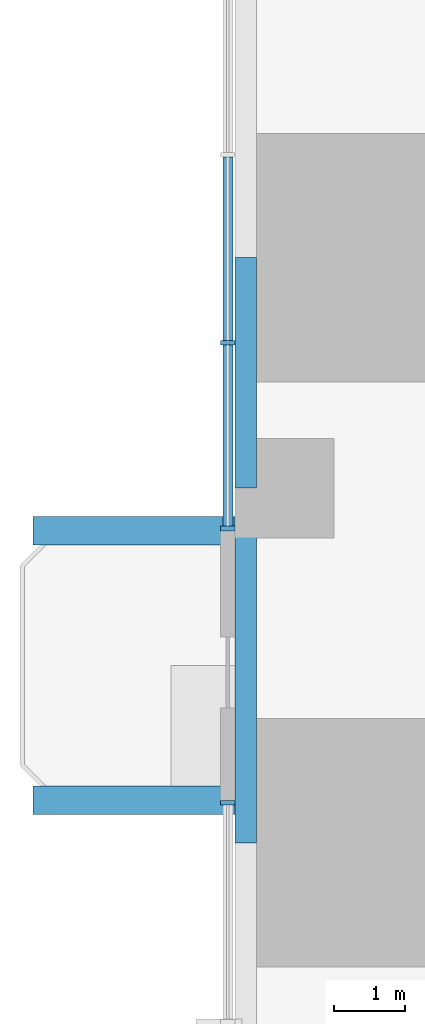
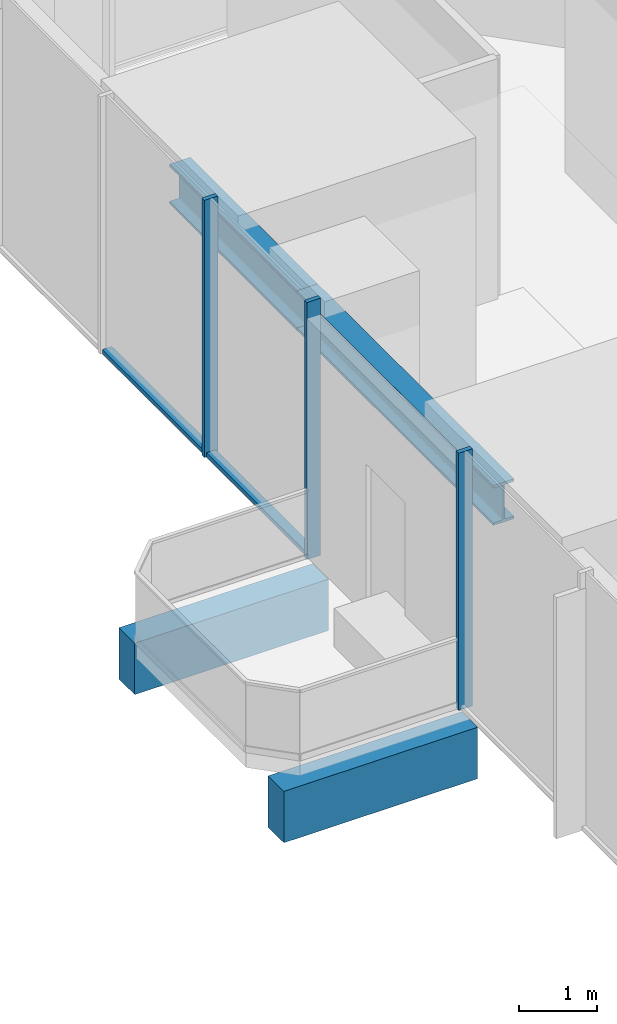
# One storey, part 3 of 15: 5 members, 4 beams, 2 elements without a shape of their own.
"""IFC4 building model written with IfcOpenShell, lengths in metres."""

import ifcopenshell
import ifcopenshell.guid

model = None  # the IFC model being written
_history = None  # IfcOwnerHistory: only IFC2X3 demands one
_inside = {}  # id of a spatial element -> (the spatial element, [elements in it])
_under = {}  # id of a project, library or spatial element -> (it, [spatial elements below it])
_declared = {}  # id of a project -> (the project, [libraries it declares])
_typed = {}  # id of a type object -> (the type object, [elements of that type])
_made_of = {}  # id of a material, layer set ... -> (it, [elements and type objects made of it])


def new_model(schema):
    """Start an empty IFC model of exactly this schema.

    Asked for "IFC4X3", IfcOpenShell would pick the latest addendum, in which some entities
    have other attributes; the version numbers below select the first issue.
    IFC2X3 requires an IfcOwnerHistory on every rooted entity: one is made here for all.
    """
    global model, _history
    if schema == "IFC4X3":
        model = ifcopenshell.file(schema_version=(4, 3, 0, 0))
    else:
        model = ifcopenshell.file(schema=schema)
    _inside.clear()
    _under.clear()
    _declared.clear()
    _typed.clear()
    _made_of.clear()
    _history = None
    if model.schema == "IFC2X3":
        org = make("IfcOrganization", Name="unknown")
        user = make(
            "IfcPersonAndOrganization",
            ThePerson=make("IfcPerson", FamilyName="unknown"),
            TheOrganization=org,
        )
        app = make(
            "IfcApplication",
            ApplicationDeveloper=org,
            Version="unknown",
            ApplicationFullName="unknown",
            ApplicationIdentifier="unknown",
        )
        _history = make(
            "IfcOwnerHistory",
            OwningUser=user,
            OwningApplication=app,
            ChangeAction="ADDED",
            CreationDate=0,
        )
    return model


def make(cls, **values):
    """One entity of the class cls with the attributes given. An attribute that is None is left unset."""
    return model.create_entity(
        cls, **{name: value for name, value in values.items() if value is not None}
    )


def rooted(cls, **values):
    """An entity with a GlobalId (a new one), such as an element, a storey or a relation."""
    return make(cls, GlobalId=ifcopenshell.guid.new(), OwnerHistory=_history, **values)


def si_unit(unit_type, name, prefix=None):
    """IfcSIUnit, for example si_unit("LENGTHUNIT", "METRE", prefix="MILLI")."""
    return make("IfcSIUnit", UnitType=unit_type, Prefix=prefix, Name=name)


def assignment(units):
    """IfcUnitAssignment: the units of a project."""
    return None if units is None else make("IfcUnitAssignment", Units=units)


def point(xyz):
    """IfcCartesianPoint."""
    return None if xyz is None else make("IfcCartesianPoint", Coordinates=xyz)


def direction(xyz):
    """IfcDirection."""
    return None if xyz is None else make("IfcDirection", DirectionRatios=xyz)


def frame(location, z_axis=None, x_axis=None):
    """IfcAxis2Placement3D, a coordinate frame: its origin and axes. An axis left out is left unset."""
    return make(
        "IfcAxis2Placement3D",
        Location=point(location),
        Axis=direction(z_axis),
        RefDirection=direction(x_axis),
    )


def frame_2d(location, x_axis=None):
    """IfcAxis2Placement2D, a coordinate frame in the plane: its origin and x axis."""
    return make(
        "IfcAxis2Placement2D", Location=point(location), RefDirection=direction(x_axis)
    )


def origin():
    """The frame at (0, 0, 0) with its axes left unset."""
    return frame((0.0, 0.0, 0.0))


def origin_2d():
    """The frame at (0, 0) in the plane with its x axis left unset."""
    return frame_2d((0.0, 0.0))


def place(relative_to, where):
    """IfcLocalPlacement: puts the frame where relative to a parent placement (None: the world)."""
    return make(
        "IfcLocalPlacement", PlacementRelTo=relative_to, RelativePlacement=where
    )


def context(
    kind, dimensions, precision=None, world=None, true_north=None, identifier=None
):
    """IfcGeometricRepresentationContext, for example the 3D "Model" context."""
    return make(
        "IfcGeometricRepresentationContext",
        ContextIdentifier=identifier,
        ContextType=kind,
        CoordinateSpaceDimension=dimensions,
        Precision=precision,
        WorldCoordinateSystem=world,
        TrueNorth=true_north,
    )


def subcontext(parent, identifier, kind, view, scale=None):
    """IfcGeometricRepresentationSubContext, for example "Body" below "Model"."""
    return make(
        "IfcGeometricRepresentationSubContext",
        ContextIdentifier=identifier,
        ContextType=kind,
        ParentContext=parent,
        TargetScale=scale,
        TargetView=view,
    )


def project(units=None, contexts=None):
    """IfcProject with its units and contexts."""
    return rooted(
        "IfcProject",
        Name="project",
        RepresentationContexts=contexts,
        UnitsInContext=assignment(units),
    )


def spatial(cls, under=None, at=None, **own):
    """A site, building, storey or space (cls), placed at a placement, below another one or the project."""
    s = rooted(cls, ObjectPlacement=at, **own)
    if under is not None:
        _under.setdefault(under.id(), (under, []))[1].append(s)
    return s


def profile(cls, at=None, kind="AREA", **sizes):
    """A parametric profile (cls). Its sizes go by their IFC names, for example OverallWidth=200.0."""
    return make(cls, ProfileType=kind, Position=at, **sizes)


def rectangle(**sizes):
    """IfcRectangleProfileDef."""
    return profile("IfcRectangleProfileDef", **sizes)


def i_section(**sizes):
    """IfcIShapeProfileDef."""
    return profile("IfcIShapeProfileDef", **sizes)


def extrude(swept, where, along, depth):
    """IfcExtrudedAreaSolid: the profile swept, set in the frame where, extruded along a direction by depth."""
    return make(
        "IfcExtrudedAreaSolid",
        SweptArea=swept,
        Position=where,
        ExtrudedDirection=direction(along),
        Depth=depth,
    )


def shape(context_of_items, identifier, shape_type, items):
    """IfcShapeRepresentation: the items that make up one representation, for example the "Body"."""
    return make(
        "IfcShapeRepresentation",
        ContextOfItems=context_of_items,
        RepresentationIdentifier=identifier,
        RepresentationType=shape_type,
        Items=items,
    )


def material(Name=None, Category=None):
    """IfcMaterial."""
    return make("IfcMaterial", Name=Name, Category=Category)


def material_profile(
    of_material, cross_section, Name=None, Category=None, Priority=None
):
    """IfcMaterialProfile: a cross section and its material."""
    return make(
        "IfcMaterialProfile",
        Name=Name,
        Material=of_material,
        Profile=cross_section,
        Priority=Priority,
        Category=Category,
    )


def profile_set(profiles, Name=None, composite=None):
    """IfcMaterialProfileSet."""
    return make(
        "IfcMaterialProfileSet",
        Name=Name,
        MaterialProfiles=profiles,
        CompositeProfile=composite,
    )


def made_of(thing, what):
    """Note that an element or type object is made of a material, layer set ...; save() writes the relation."""
    if what is not None:
        _made_of.setdefault(what.id(), (what, []))[1].append(thing)
    return thing


def type_object(cls, material=None, **own):
    """A type object (cls), such as IfcWallType, which elements share."""
    return made_of(rooted(cls, **own), material)


def element(
    cls,
    number,
    at=None,
    inside=None,
    cuts=None,
    type_object=None,
    material=None,
    context=None,
    identifier="Body",
    shape_type=None,
    held_by="IfcProductDefinitionShape",
    body=None,
    shapes=None,
    **own,
):
    """One element of the class cls, such as IfcWall. Its Tag is "e" and its number.

    at: its placement. inside: the storey or other place that contains it. cuts: it is an
    opening in that element (IfcRelVoidsElement). A single representation is given by context,
    identifier, shape_type and body (its items); several are given by shapes. held_by: the class
    of the entity that holds the representations. save() writes the other relations.
    """
    e = rooted(cls, Tag="e%d" % number, ObjectPlacement=at, **own)
    if body is not None:
        shapes = [shape(context, identifier, shape_type, body)]
    if shapes is not None:
        e.Representation = make(held_by, Representations=shapes)
    if inside is not None:
        _inside.setdefault(inside.id(), (inside, []))[1].append(e)
    if cuts is not None:
        rooted(
            "IfcRelVoidsElement", RelatingBuildingElement=cuts, RelatedOpeningElement=e
        )
    if type_object is not None:
        _typed.setdefault(type_object.id(), (type_object, []))[1].append(e)
    return made_of(e, material)


def aggregate(whole, parts):
    """IfcRelAggregates: a whole, such as a stair, and the parts it consists of."""
    return rooted("IfcRelAggregates", RelatingObject=whole, RelatedObjects=parts)


def save(model, path):
    """Write the relations noted so far, then the file.

    IfcRelAggregates (storeys below a building ...), IfcRelContainedInSpatialStructure (elements
    in a storey), IfcRelDefinesByType, IfcRelAssociatesMaterial and IfcRelDeclares: one each for
    every whole, place, type object, material and project.
    """
    for whole, parts in _under.values():
        aggregate(whole, parts)
    for where, things in _inside.values():
        rooted(
            "IfcRelContainedInSpatialStructure",
            RelatedElements=things,
            RelatingStructure=where,
        )
    for kind, things in _typed.values():
        rooted("IfcRelDefinesByType", RelatedObjects=things, RelatingType=kind)
    for what, things in _made_of.values():
        rooted("IfcRelAssociatesMaterial", RelatedObjects=things, RelatingMaterial=what)
    for by, libraries in _declared.values():
        rooted("IfcRelDeclares", RelatingContext=by, RelatedDefinitions=libraries)
    model.write(path)


model = new_model("IFC4")

# Units and contexts
model_context = context("Model", 3, precision=1e-05, world=origin(), true_north=direction((0.0, 1.0)))
body_context = subcontext(model_context, "Body", "Model", "MODEL_VIEW")
ifc_project = project(units=[si_unit("LENGTHUNIT", "METRE"), si_unit("AREAUNIT", "SQUARE_METRE"), si_unit("VOLUMEUNIT", "CUBIC_METRE"), si_unit("PLANEANGLEUNIT", "RADIAN"), si_unit("MASSUNIT", "GRAM", prefix="KILO")], contexts=[model_context])

# Site, building, storey
site_placement = place(None, origin())
site = spatial("IfcSite", under=ifc_project, at=site_placement, CompositionType="ELEMENT")
building_placement = place(site_placement, origin())
building = spatial("IfcBuilding", under=site, at=building_placement, Name="Svetlomir Tower", CompositionType="ELEMENT")
storey_placement = place(building_placement, frame((0.0, 0.0, 74.5)))
storey = spatial("IfcBuildingStorey", under=building, at=storey_placement, Name="L17", CompositionType="ELEMENT", Elevation=74.5)

# Beams
ifc_material_1 = material(Name="Concrete C60/75", Category="concrete")
ifc_material_profile_1 = material_profile(ifc_material_1, rectangle(XDim=0.39990234375, YDim=0.800048828125, at=origin_2d()), Name="RC 400x800")
ifc_profile_set_1 = profile_set([ifc_material_profile_1], Name="Concrete C60/75")
beam_type_1 = type_object("IfcBeamType", Name="BALCONY RIB RC 400x800", PredefinedType="BEAM", material=ifc_profile_set_1)
for number, where, z_axis, x_axis, name in (
    (1, (0.0, 21.60009765625, -0.64990234375), (-1.0, 0.0, 0.0), (0.0, -1.0, 0.0), "Balcony rib W 1 L17"),
    (2, (0.0, 25.39990234375, -0.64990234375), (-1.0, 0.0, 0.0), (0.0, -1.0, 0.0), "Balcony rib W 2 L17"),
):
    element("IfcBeam", number, at=place(storey_placement, frame(where, z_axis=z_axis, x_axis=x_axis)), inside=storey, type_object=beam_type_1, Name=name, PredefinedType="BEAM", context=body_context, shape_type="SweptSolid", body=[
        extrude(rectangle(XDim=0.39990234375, YDim=0.800048828125, at=origin_2d()), origin(), (0.0, 0.0, 1.0), 2.85009765625),
    ])

# Curtain wall, members
ifc_material_2 = material(Name="Bronze anodised aluminium curtain wall", Category="aluminium")
curtain_wall_type = type_object("IfcCurtainWallType", Name="CURTAIN WALL CW1 TOWER OFFICE", PredefinedType="NOTDEFINED", material=ifc_material_2)
curtain_wall_1_placement = place(storey_placement, origin())
curtain_wall_1 = element("IfcCurtainWall", 3, at=curtain_wall_1_placement, inside=storey, type_object=curtain_wall_type, Name="Curtain wall CW1 L17", PredefinedType="NOTDEFINED")
ifc_material_3 = material(Name="Bronze anodised aluminium", Category="aluminium")
ifc_material_profile_2 = material_profile(ifc_material_3, rectangle(XDim=0.06494140625, YDim=0.199951171875, at=origin_2d()), Name="AL 65x200")
ifc_profile_set_2 = profile_set([ifc_material_profile_2], Name="Bronze anodised aluminium 6063-T6")
member_type_1 = type_object("IfcMemberType", Name="CW1 MULLION 65x200", PredefinedType="MULLION", material=ifc_profile_set_2)
member_1_placement = place(storey_placement, frame((-0.10009765625, 28.050048828125, 0.0), z_axis=(0.0, 0.0, 1.0), x_axis=(0.0, -1.0, 0.0)))
member_1 = element("IfcMember", 4, at=member_1_placement, type_object=member_type_1, Name="CW1 mullion 4", PredefinedType="MULLION", context=body_context, shape_type="SweptSolid", body=[
    extrude(rectangle(XDim=0.06494140625, YDim=0.199951171875, at=origin_2d()), origin(), (0.0, 0.0, 1.0), 4.0),
])
member_2_placement = place(storey_placement, frame((-0.10009765625, 25.4326171875, 0.0), z_axis=(0.0, 0.0, 1.0), x_axis=(0.0, -1.0, 0.0)))
member_2 = element("IfcMember", 5, at=member_2_placement, type_object=member_type_1, Name="CW1 mullion 5", PredefinedType="MULLION", context=body_context, shape_type="SweptSolid", body=[
    extrude(rectangle(XDim=0.06494140625, YDim=0.199951171875, at=origin_2d()), origin(), (0.0, 0.0, 1.0), 4.0),
])

# Curtain wall, member
curtain_wall_2_placement = place(storey_placement, origin())
curtain_wall_2 = element("IfcCurtainWall", 6, at=curtain_wall_2_placement, inside=storey, type_object=curtain_wall_type, Name="Curtain wall CW1 L17", PredefinedType="NOTDEFINED")
member_3_placement = place(storey_placement, frame((-0.10009765625, 21.5673828125, 0.0), z_axis=(0.0, 0.0, 1.0), x_axis=(0.0, -1.0, 0.0)))
member_3 = element("IfcMember", 7, at=member_3_placement, type_object=member_type_1, Name="CW1 mullion 1", PredefinedType="MULLION", context=body_context, shape_type="SweptSolid", body=[
    extrude(rectangle(XDim=0.06494140625, YDim=0.199951171875, at=origin_2d()), origin(), (0.0, 0.0, 1.0), 4.0),
])
aggregate(curtain_wall_2, [member_3])

# Member
ifc_material_4 = material(Name="Bronze anodised aluminium", Category="aluminium")
ifc_material_profile_3 = material_profile(ifc_material_4, rectangle(XDim=0.139892578125, YDim=0.06494140625, at=origin_2d()), Name="AL 140x65")
ifc_profile_set_3 = profile_set([ifc_material_profile_3], Name="Bronze anodised aluminium 6063-T6")
member_type_2 = type_object("IfcMemberType", Name="CW1 TRANSOM 65x140", PredefinedType="USERDEFINED", material=ifc_profile_set_3)
member_4_placement = place(storey_placement, frame((-0.10009765625, 30.66748046875, 0.032470703125), z_axis=(0.0, -1.0, 0.0), x_axis=(1.0, 0.0, 0.0)))
member_4 = element("IfcMember", 8, at=member_4_placement, type_object=member_type_2, Name="CW1 transom 3.1", ObjectType="TRANSOM", PredefinedType="USERDEFINED", context=body_context, shape_type="SweptSolid", body=[
    extrude(rectangle(XDim=0.139892578125, YDim=0.06494140625, at=origin_2d()), origin(), (0.0, 0.0, 1.0), 2.5849609375),
])

member_5_placement = place(storey_placement, frame((-0.10009765625, 28.017578125, 0.032470703125), z_axis=(0.0, -1.0, 0.0), x_axis=(1.0, 0.0, 0.0)))
member_5 = element("IfcMember", 9, at=member_5_placement, type_object=member_type_2, Name="CW1 transom 4.1", ObjectType="TRANSOM", PredefinedType="USERDEFINED", context=body_context, shape_type="SweptSolid", body=[
    extrude(rectangle(XDim=0.139892578125, YDim=0.06494140625, at=origin_2d()), origin(), (0.0, 0.0, 1.0), 2.552490234375),
])

aggregate(curtain_wall_1, [member_1, member_2, member_4, member_5])

# Beams
ifc_material_5 = material(Name="Steel S355", Category="steel")
ifc_material_profile_4 = material_profile(ifc_material_5, i_section(OverallWidth=0.304931640625, OverallDepth=0.6201171875, WebThickness=0.02099609375, FlangeThickness=0.0400390625, FilletRadius=0.027099609375, at=origin_2d()), Name="HEM 600")
ifc_profile_set_4 = profile_set([ifc_material_profile_4], Name="Steel S355")
beam_type_2 = type_object("IfcBeamType", Name="EDGE BEAM HEM 600", PredefinedType="SPANDREL", material=ifc_profile_set_4)
beam_1_placement = place(storey_placement, frame((0.152587890625, 21.0, 3.43994140625), z_axis=(0.0, 1.0, 0.0), x_axis=(-1.0, 0.0, 0.0)))
element("IfcBeam", 10, at=beam_1_placement, inside=storey, type_object=beam_type_2, Name="Edge beam 0/21 to 0/26 under L18", PredefinedType="SPANDREL", context=body_context, shape_type="SweptSolid", body=[
    extrude(i_section(OverallWidth=0.304931640625, OverallDepth=0.6201171875, WebThickness=0.02099609375, FlangeThickness=0.0400390625, FilletRadius=0.027099609375, at=origin_2d()), origin(), (0.0, 0.0, 1.0), 5.0),
])
beam_2_placement = place(storey_placement, frame((0.152587890625, 26.0, 3.43994140625), z_axis=(0.0, 1.0, 0.0), x_axis=(-1.0, 0.0, 0.0)))
element("IfcBeam", 11, at=beam_2_placement, inside=storey, type_object=beam_type_2, Name="Edge beam 0/26 to 0/31 under L18", PredefinedType="SPANDREL", context=body_context, shape_type="SweptSolid", body=[
    extrude(i_section(OverallWidth=0.304931640625, OverallDepth=0.6201171875, WebThickness=0.02099609375, FlangeThickness=0.0400390625, FilletRadius=0.027099609375, at=origin_2d()), origin(), (0.0, 0.0, 1.0), 3.25),
])

save(model, "model.ifc")
